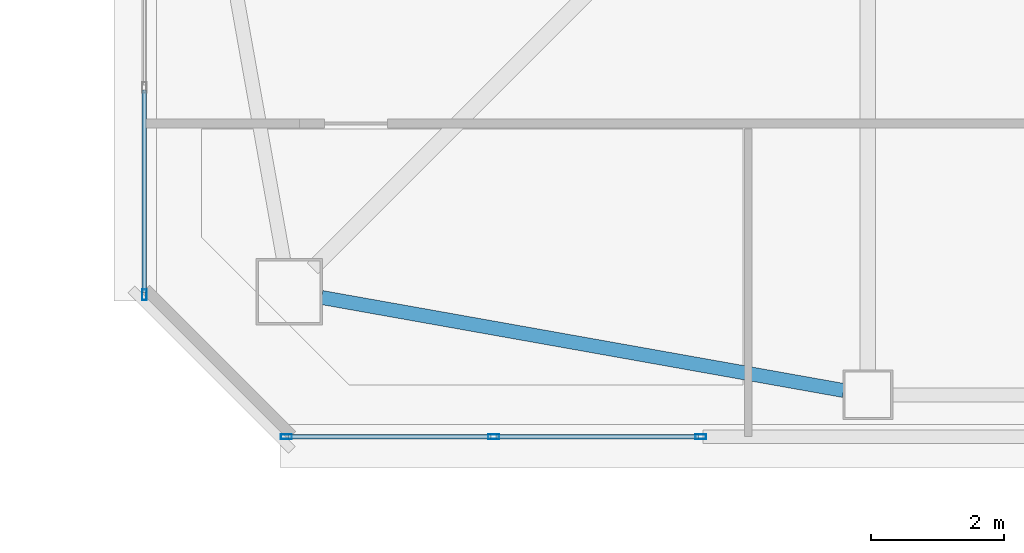
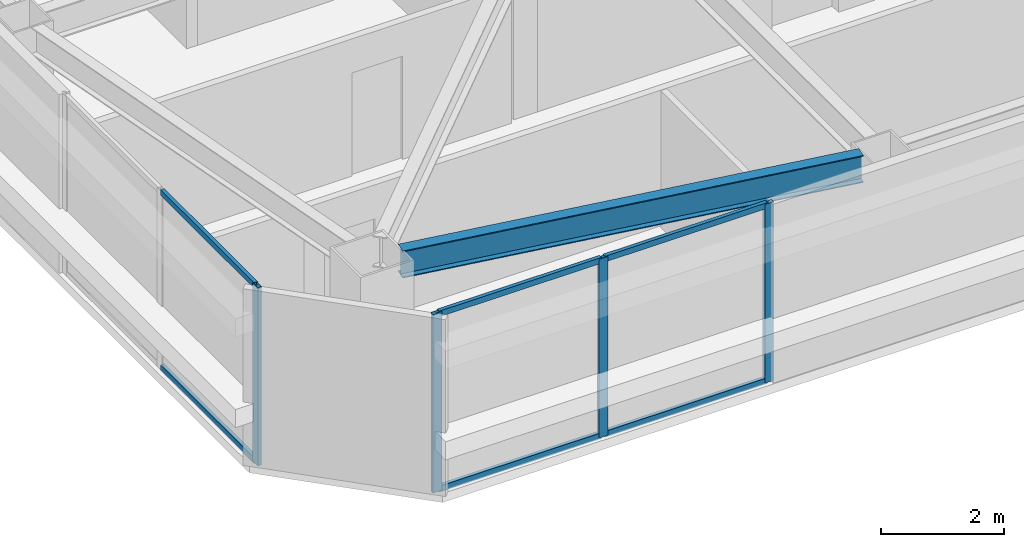
# One storey, part 3 of 44: 10 members, 1 beam, 2 elements without a shape of their own.
"""IFC4 building model written with IfcOpenShell, lengths in metres."""

from ifc_helpers import new_model, si_unit, direction, frame, origin, origin_2d, place, context, subcontext, project, spatial, hollow_rectangle, i_section, extrude, material, material_profile, profile_set, type_object, element, aggregate, save


model = new_model("IFC4")

# Units and contexts
model_context = context("Model", 3, precision=1e-05, world=origin(), true_north=direction((0.0, 1.0)))
body_context = subcontext(model_context, "Body", "Model", "MODEL_VIEW")
ifc_project = project(units=[si_unit("LENGTHUNIT", "METRE"), si_unit("AREAUNIT", "SQUARE_METRE"), si_unit("VOLUMEUNIT", "CUBIC_METRE"), si_unit("PLANEANGLEUNIT", "RADIAN"), si_unit("MASSUNIT", "GRAM", prefix="KILO")], contexts=[model_context])

# Site, building, storey
site_placement = place(None, origin())
site = spatial("IfcSite", under=ifc_project, at=site_placement, CompositionType="ELEMENT")
building_placement = place(site_placement, origin())
building = spatial("IfcBuilding", under=site, at=building_placement, Name="Tashvorn Skyway Center", CompositionType="ELEMENT")
storey_placement = place(building_placement, frame((0.0, 0.0, 211.300048828125)))
storey = spatial("IfcBuildingStorey", under=building, at=storey_placement, Name="L57", CompositionType="ELEMENT", Elevation=211.300048828125)

# Beam
ifc_material_1 = material(Name="Steel ASTM A992 Grade 50", Category="steel")
ifc_material_profile_1 = material_profile(ifc_material_1, i_section(OverallWidth=0.2109375, OverallDepth=0.5390625, WebThickness=0.01171875, FlangeThickness=0.018798828125, at=origin_2d()), Name="W21X73")
ifc_profile_set_1 = profile_set([ifc_material_profile_1], Name="Steel ASTM A992 Grade 50")
beam_type = type_object("IfcBeamType", Name="BM-SPANDREL-W21X73", PredefinedType="SPANDREL", material=ifc_profile_set_1)
beam_placement = place(storey_placement, frame((28.38720703125, 17.813232421875, 3.100341796875), z_axis=(0.984494883191, -0.17541329759, 0.0), x_axis=(0.17541329759, 0.984494883191, 0.0)))
element("IfcBeam", 1, at=beam_placement, inside=storey, type_object=beam_type, Name="Tower 1 L57 Spandrel Beam 01", PredefinedType="SPANDREL", context=body_context, shape_type="SweptSolid", body=[
    extrude(i_section(OverallWidth=0.2109375, OverallDepth=0.5390625, WebThickness=0.01171875, FlangeThickness=0.018798828125, at=origin_2d()), origin(), (0.0, 0.0, 1.0), 7.97216796875),
])

# Curtain wall, members
ifc_material_2 = material(Name="Thermally broken bronze-anodized aluminium 6063-T6", Category="aluminium")
curtain_wall_type = type_object("IfcCurtainWallType", Name="CW-CW-Z5", PredefinedType="NOTDEFINED", material=ifc_material_2)
curtain_wall_1_placement = place(storey_placement, origin())
curtain_wall_1 = element("IfcCurtainWall", 2, at=curtain_wall_1_placement, inside=storey, type_object=curtain_wall_type, Name="Tower 1 L57 South Unitised Curtain Wall Glazing Group 3", PredefinedType="NOTDEFINED")
ifc_material_profile_2 = material_profile(ifc_material_2, hollow_rectangle(XDim=0.070068359375, YDim=0.1650390625, WallThickness=0.00390625, at=origin_2d()), Name="ALU-MULL-70x165")
ifc_profile_set_2 = profile_set([ifc_material_profile_2], Name="Thermally broken bronze-anodized aluminium 6063-T6")
member_type_1 = type_object("IfcMemberType", Name="CWM-CW-Z5", PredefinedType="MULLION", material=ifc_profile_set_2)
member_1_placement = place(storey_placement, frame((34.087158203125, 15.719970703125, 0.0), z_axis=(0.0, 0.0, 1.0), x_axis=(0.0, -1.0, 0.0)))
member_1 = element("IfcMember", 3, at=member_1_placement, type_object=member_type_1, Name="CW-Z5 mullion 1", PredefinedType="MULLION", context=body_context, shape_type="SweptSolid", body=[
    extrude(hollow_rectangle(XDim=0.070068359375, YDim=0.1650390625, WallThickness=0.00390625, at=origin_2d()), origin(), (0.0, 0.0, 1.0), 3.550048828125),
])
member_2_placement = place(storey_placement, frame((30.97119140625, 15.719970703125, 0.0), z_axis=(0.0, 0.0, 1.0), x_axis=(0.0, -1.0, 0.0)))
member_2 = element("IfcMember", 4, at=member_2_placement, type_object=member_type_1, Name="CW-Z5 mullion 2", PredefinedType="MULLION", context=body_context, shape_type="SweptSolid", body=[
    extrude(hollow_rectangle(XDim=0.070068359375, YDim=0.1650390625, WallThickness=0.00390625, at=origin_2d()), origin(), (0.0, 0.0, 1.0), 3.550048828125),
])
member_3_placement = place(storey_placement, frame((27.85498046875, 15.719970703125, 0.0), z_axis=(0.0, 0.0, 1.0), x_axis=(0.0, -1.0, 0.0)))
member_3 = element("IfcMember", 5, at=member_3_placement, type_object=member_type_1, Name="CW-Z5 mullion 3", PredefinedType="MULLION", context=body_context, shape_type="SweptSolid", body=[
    extrude(hollow_rectangle(XDim=0.070068359375, YDim=0.1650390625, WallThickness=0.00390625, at=origin_2d()), origin(), (0.0, 0.0, 1.0), 3.550048828125),
])

# Curtain wall, member
curtain_wall_2_placement = place(storey_placement, origin())
curtain_wall_2 = element("IfcCurtainWall", 6, at=curtain_wall_2_placement, inside=storey, type_object=curtain_wall_type, Name="Tower 1 L57 West Unitised Curtain Wall Glazing Group 1", PredefinedType="NOTDEFINED")
member_4_placement = place(storey_placement, frame((25.719970703125, 17.85498046875, 0.0), z_axis=(0.0, 0.0, 1.0), x_axis=(-1.0, 0.0, 0.0)))
member_4 = element("IfcMember", 7, at=member_4_placement, type_object=member_type_1, Name="CW-Z5 mullion 1", PredefinedType="MULLION", context=body_context, shape_type="SweptSolid", body=[
    extrude(hollow_rectangle(XDim=0.070068359375, YDim=0.1650390625, WallThickness=0.00390625, at=origin_2d()), origin(), (0.0, 0.0, 1.0), 3.550048828125),
])

# Member
ifc_material_profile_3 = material_profile(ifc_material_2, hollow_rectangle(XDim=0.070068359375, YDim=0.114990234375, WallThickness=0.00390625, at=origin_2d()), Name="ALU-TRAN-70x115")
ifc_profile_set_3 = profile_set([ifc_material_profile_3], Name="Thermally broken bronze-anodized aluminium 6063-T6")
member_type_2 = type_object("IfcMemberType", Name="CWT-CW-Z5", PredefinedType="USERDEFINED", material=ifc_profile_set_3)
member_5_placement = place(storey_placement, frame((34.05224609375, 15.719970703125, 0.034912109375), z_axis=(-1.0, 0.0, 0.0), x_axis=(0.0, -1.0, 0.0)))
member_5 = element("IfcMember", 8, at=member_5_placement, type_object=member_type_2, Name="CW-Z5 transom 1.1", ObjectType="TRANSOM", PredefinedType="USERDEFINED", context=body_context, shape_type="SweptSolid", body=[
    extrude(hollow_rectangle(XDim=0.070068359375, YDim=0.114990234375, WallThickness=0.00390625, at=origin_2d()), origin(), (0.0, 0.0, 1.0), 3.046142578125),
])

member_6_placement = place(storey_placement, frame((34.05224609375, 15.719970703125, 3.514892578125), z_axis=(-1.0, 0.0, 0.0), x_axis=(0.0, -1.0, 0.0)))
member_6 = element("IfcMember", 9, at=member_6_placement, type_object=member_type_2, Name="CW-Z5 transom 1.2", ObjectType="TRANSOM", PredefinedType="USERDEFINED", context=body_context, shape_type="SweptSolid", body=[
    extrude(hollow_rectangle(XDim=0.070068359375, YDim=0.114990234375, WallThickness=0.00390625, at=origin_2d()), origin(), (0.0, 0.0, 1.0), 3.046142578125),
])

member_7_placement = place(storey_placement, frame((30.93603515625, 15.719970703125, 0.034912109375), z_axis=(-1.0, 0.0, 0.0), x_axis=(0.0, -1.0, 0.0)))
member_7 = element("IfcMember", 10, at=member_7_placement, type_object=member_type_2, Name="CW-Z5 transom 2.1", ObjectType="TRANSOM", PredefinedType="USERDEFINED", context=body_context, shape_type="SweptSolid", body=[
    extrude(hollow_rectangle(XDim=0.070068359375, YDim=0.114990234375, WallThickness=0.00390625, at=origin_2d()), origin(), (0.0, 0.0, 1.0), 3.046142578125),
])

member_8_placement = place(storey_placement, frame((30.93603515625, 15.719970703125, 3.514892578125), z_axis=(-1.0, 0.0, 0.0), x_axis=(0.0, -1.0, 0.0)))
member_8 = element("IfcMember", 11, at=member_8_placement, type_object=member_type_2, Name="CW-Z5 transom 2.2", ObjectType="TRANSOM", PredefinedType="USERDEFINED", context=body_context, shape_type="SweptSolid", body=[
    extrude(hollow_rectangle(XDim=0.070068359375, YDim=0.114990234375, WallThickness=0.00390625, at=origin_2d()), origin(), (0.0, 0.0, 1.0), 3.046142578125),
])

aggregate(curtain_wall_1, [member_1, member_2, member_3, member_5, member_6, member_7, member_8])

member_9_placement = place(storey_placement, frame((25.719970703125, 17.889892578125, 0.034912109375), z_axis=(0.0, 1.0, 0.0), x_axis=(-1.0, 0.0, 0.0)))
member_9 = element("IfcMember", 12, at=member_9_placement, type_object=member_type_2, Name="CW-Z5 transom 1.1", ObjectType="TRANSOM", PredefinedType="USERDEFINED", context=body_context, shape_type="SweptSolid", body=[
    extrude(hollow_rectangle(XDim=0.070068359375, YDim=0.114990234375, WallThickness=0.00390625, at=origin_2d()), origin(), (0.0, 0.0, 1.0), 3.046142578125),
])

member_10_placement = place(storey_placement, frame((25.719970703125, 17.889892578125, 3.514892578125), z_axis=(0.0, 1.0, 0.0), x_axis=(-1.0, 0.0, 0.0)))
member_10 = element("IfcMember", 13, at=member_10_placement, type_object=member_type_2, Name="CW-Z5 transom 1.2", ObjectType="TRANSOM", PredefinedType="USERDEFINED", context=body_context, shape_type="SweptSolid", body=[
    extrude(hollow_rectangle(XDim=0.070068359375, YDim=0.114990234375, WallThickness=0.00390625, at=origin_2d()), origin(), (0.0, 0.0, 1.0), 3.046142578125),
])

aggregate(curtain_wall_2, [member_4, member_9, member_10])

save(model, "model.ifc")
